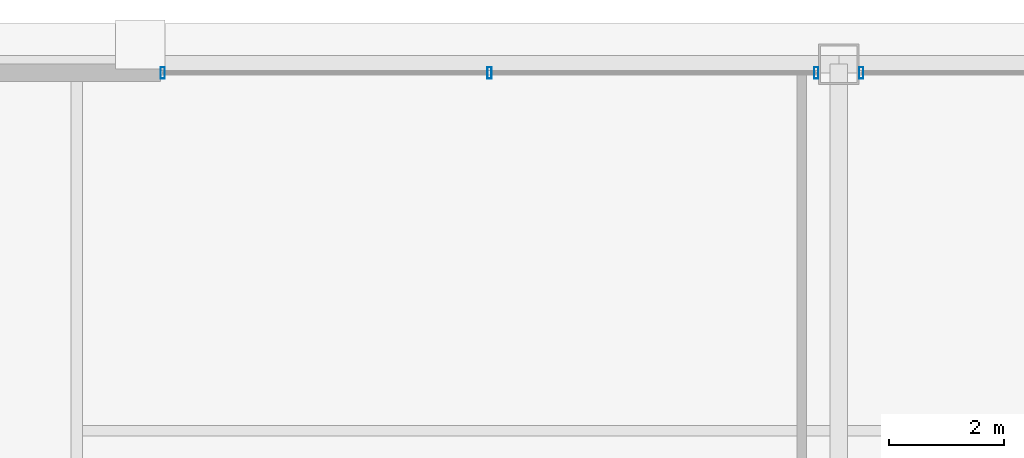
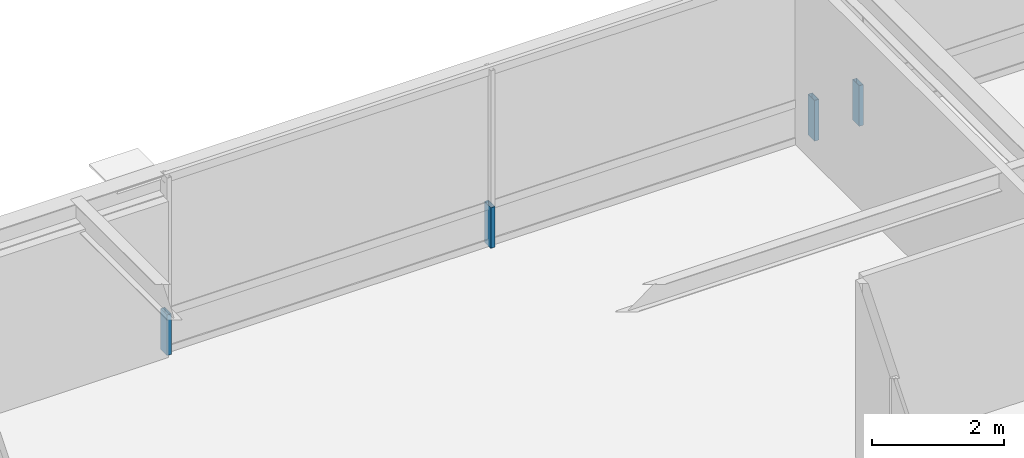
# One storey, part 27 of 34: 4 members, 2 elements without a shape of their own.
"""IFC4 building model written with IfcOpenShell, lengths in metres."""

from ifc_helpers import new_model, si_unit, direction, frame, origin, origin_2d, place, context, subcontext, project, spatial, hollow_rectangle, extrude, source, transform, mapped, material, layer, layer_set, material_profile, profile_set, type_object, element, aggregate, save


model = new_model("IFC4")

# Units and contexts
model_context = context("Model", 3, precision=1e-05, world=origin(), true_north=direction((0.0, 1.0)))
body_context = subcontext(model_context, "Body", "Model", "MODEL_VIEW")
ifc_project = project(units=[si_unit("LENGTHUNIT", "METRE"), si_unit("AREAUNIT", "SQUARE_METRE"), si_unit("VOLUMEUNIT", "CUBIC_METRE"), si_unit("PLANEANGLEUNIT", "RADIAN"), si_unit("MASSUNIT", "GRAM", prefix="KILO"), si_unit("THERMODYNAMICTEMPERATUREUNIT", "KELVIN"), si_unit("POWERUNIT", "WATT")], contexts=[model_context])

# Site, building, storey
site_placement = place(None, origin())
site = spatial("IfcSite", under=ifc_project, at=site_placement, CompositionType="ELEMENT")
building_placement = place(site_placement, origin())
building = spatial("IfcBuilding", under=site, at=building_placement, Name="Yuzanri Waterfront Tower", CompositionType="ELEMENT")
storey_placement = place(building_placement, frame((0.0, 0.0, 325.199951171875)))
storey = spatial("IfcBuildingStorey", under=building, at=storey_placement, Name="L87", CompositionType="ELEMENT", Elevation=325.199951171875)

# Curtain wall, members
ifc_material_1 = material(Name="Anodized Architectural Bronze", Category="metal")
ifc_layer = layer(ifc_material_1, 0.159912109375)
ifc_layer_set = layer_set([ifc_layer], Name="Anodized Architectural Bronze")
curtain_wall_type = type_object("IfcCurtainWallType", Name="Anodized Bronze High-Rise Penthouse High-Wind Unitized Curtain Wall 6900", PredefinedType="NOTDEFINED", material=ifc_layer_set)
curtain_wall_1_placement = place(storey_placement, origin())
curtain_wall_1 = element("IfcCurtainWall", 1, at=curtain_wall_1_placement, inside=storey, type_object=curtain_wall_type, Name="L87 Curtain Wall CW-L87-NL", PredefinedType="NOTDEFINED")
ifc_material_2 = material(Name="Anodized Architectural Bronze", Category="metal")
ifc_material_profile = material_profile(ifc_material_2, hollow_rectangle(XDim=0.074951171875, YDim=0.199951171875, WallThickness=0.00390625, at=origin_2d()), Name="CWM 75x200")
ifc_profile_set = profile_set([ifc_material_profile], Name="Anodized Architectural Bronze")
member_type = type_object("IfcMemberType", Name="Anodized Bronze Primary Curtain-Wall Mullion 75x200", PredefinedType="MULLION", material=ifc_profile_set)
shared_shape = source(origin(), body_context, "Body", "SweptSolid", [
    extrude(hollow_rectangle(XDim=0.074951171875, YDim=0.199951171875, WallThickness=0.00390625, at=origin_2d()), origin(), (0.0, 0.0, 1.0), 0.751953125),
])
member_1_placement = place(storey_placement, frame((25.2900390625, 44.75, 0.0), z_axis=(0.0, 0.0, 1.0), x_axis=(1.0, 0.0, 0.0)))
member_1 = element("IfcMember", 2, at=member_1_placement, type_object=member_type, Name="CW-L87-NL Lower Mullion 00", PredefinedType="MULLION", context=body_context, shape_type="MappedRepresentation", body=[
    mapped(shared_shape, transform((0.0, 0.0, 0.0), scale=1.0)),
])
member_2_placement = place(storey_placement, frame((30.949951171875, 44.75, 0.0), z_axis=(0.0, 0.0, 1.0), x_axis=(1.0, 0.0, 0.0)))
member_2 = element("IfcMember", 3, at=member_2_placement, type_object=member_type, Name="CW-L87-NL Lower Mullion 01", PredefinedType="MULLION", context=body_context, shape_type="MappedRepresentation", body=[
    mapped(shared_shape, transform((0.0, 0.0, 0.0), scale=1.0)),
])
member_3_placement = place(storey_placement, frame((36.610107421875, 44.75, 0.0), z_axis=(0.0, 0.0, 1.0), x_axis=(1.0, 0.0, 0.0)))
member_3 = element("IfcMember", 4, at=member_3_placement, type_object=member_type, Name="CW-L87-NL Lower Mullion 02", PredefinedType="MULLION", context=body_context, shape_type="MappedRepresentation", body=[
    mapped(shared_shape, transform((0.0, 0.0, 0.0), scale=1.0)),
])
aggregate(curtain_wall_1, [member_1, member_2, member_3])

# Curtain wall, member
curtain_wall_2_placement = place(storey_placement, origin())
curtain_wall_2 = element("IfcCurtainWall", 5, at=curtain_wall_2_placement, inside=storey, type_object=curtain_wall_type, Name="L87 Curtain Wall CW-L87-NR", PredefinedType="NOTDEFINED")
member_4_placement = place(storey_placement, frame((37.389892578125, 44.75, 0.0), z_axis=(0.0, 0.0, 1.0), x_axis=(1.0, 0.0, 0.0)))
member_4 = element("IfcMember", 6, at=member_4_placement, type_object=member_type, Name="CW-L87-NR Lower Mullion 00", PredefinedType="MULLION", context=body_context, shape_type="MappedRepresentation", body=[
    mapped(shared_shape, transform((0.0, 0.0, 0.0), scale=1.0)),
])
aggregate(curtain_wall_2, [member_4])

save(model, "model.ifc")
